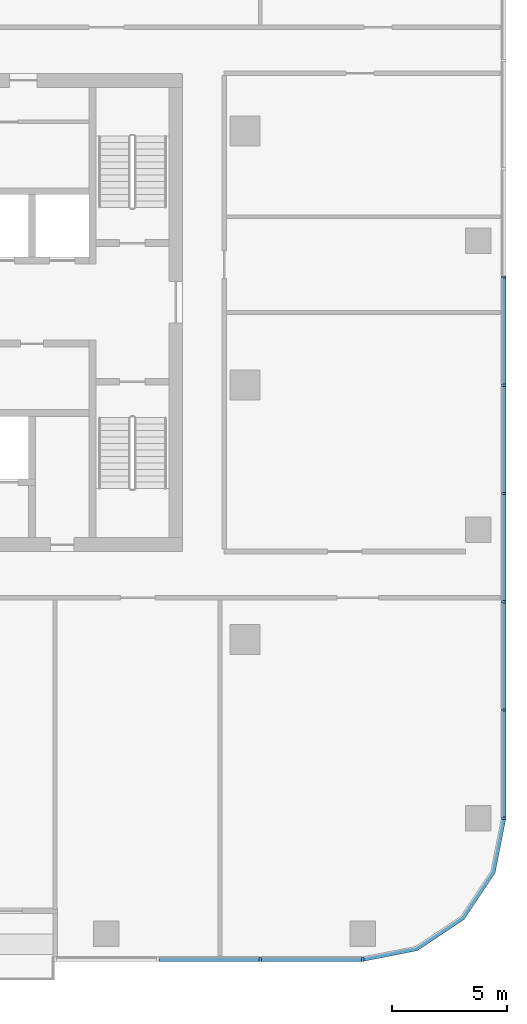
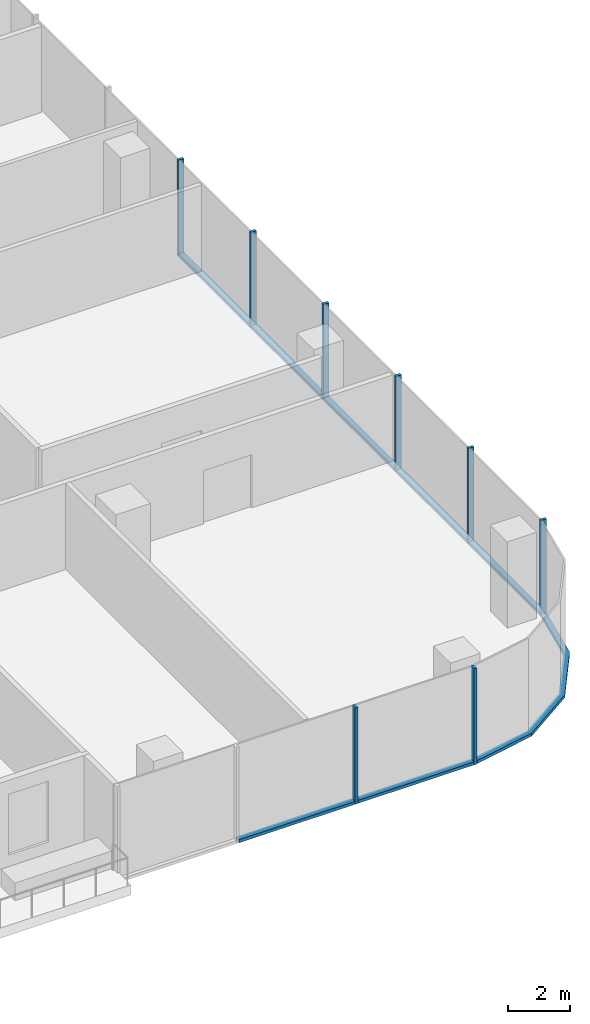
# One storey, part 3 of 14: 16 members, 3 elements without a shape of their own.
"""IFC4 building model written with IfcOpenShell, lengths in metres."""

import ifcopenshell
import ifcopenshell.guid

model = None  # the IFC model being written
_history = None  # IfcOwnerHistory: only IFC2X3 demands one
_inside = {}  # id of a spatial element -> (the spatial element, [elements in it])
_under = {}  # id of a project, library or spatial element -> (it, [spatial elements below it])
_declared = {}  # id of a project -> (the project, [libraries it declares])
_typed = {}  # id of a type object -> (the type object, [elements of that type])
_made_of = {}  # id of a material, layer set ... -> (it, [elements and type objects made of it])


def new_model(schema):
    """Start an empty IFC model of exactly this schema.

    Asked for "IFC4X3", IfcOpenShell would pick the latest addendum, in which some entities
    have other attributes; the version numbers below select the first issue.
    IFC2X3 requires an IfcOwnerHistory on every rooted entity: one is made here for all.
    """
    global model, _history
    if schema == "IFC4X3":
        model = ifcopenshell.file(schema_version=(4, 3, 0, 0))
    else:
        model = ifcopenshell.file(schema=schema)
    _inside.clear()
    _under.clear()
    _declared.clear()
    _typed.clear()
    _made_of.clear()
    _history = None
    if model.schema == "IFC2X3":
        org = make("IfcOrganization", Name="unknown")
        user = make(
            "IfcPersonAndOrganization",
            ThePerson=make("IfcPerson", FamilyName="unknown"),
            TheOrganization=org,
        )
        app = make(
            "IfcApplication",
            ApplicationDeveloper=org,
            Version="unknown",
            ApplicationFullName="unknown",
            ApplicationIdentifier="unknown",
        )
        _history = make(
            "IfcOwnerHistory",
            OwningUser=user,
            OwningApplication=app,
            ChangeAction="ADDED",
            CreationDate=0,
        )
    return model


def make(cls, **values):
    """One entity of the class cls with the attributes given. An attribute that is None is left unset."""
    return model.create_entity(
        cls, **{name: value for name, value in values.items() if value is not None}
    )


def rooted(cls, **values):
    """An entity with a GlobalId (a new one), such as an element, a storey or a relation."""
    return make(cls, GlobalId=ifcopenshell.guid.new(), OwnerHistory=_history, **values)


def si_unit(unit_type, name, prefix=None):
    """IfcSIUnit, for example si_unit("LENGTHUNIT", "METRE", prefix="MILLI")."""
    return make("IfcSIUnit", UnitType=unit_type, Prefix=prefix, Name=name)


def assignment(units):
    """IfcUnitAssignment: the units of a project."""
    return None if units is None else make("IfcUnitAssignment", Units=units)


def point(xyz):
    """IfcCartesianPoint."""
    return None if xyz is None else make("IfcCartesianPoint", Coordinates=xyz)


def direction(xyz):
    """IfcDirection."""
    return None if xyz is None else make("IfcDirection", DirectionRatios=xyz)


def frame(location, z_axis=None, x_axis=None):
    """IfcAxis2Placement3D, a coordinate frame: its origin and axes. An axis left out is left unset."""
    return make(
        "IfcAxis2Placement3D",
        Location=point(location),
        Axis=direction(z_axis),
        RefDirection=direction(x_axis),
    )


def frame_2d(location, x_axis=None):
    """IfcAxis2Placement2D, a coordinate frame in the plane: its origin and x axis."""
    return make(
        "IfcAxis2Placement2D", Location=point(location), RefDirection=direction(x_axis)
    )


def origin():
    """The frame at (0, 0, 0) with its axes left unset."""
    return frame((0.0, 0.0, 0.0))


def origin_2d():
    """The frame at (0, 0) in the plane with its x axis left unset."""
    return frame_2d((0.0, 0.0))


def place(relative_to, where):
    """IfcLocalPlacement: puts the frame where relative to a parent placement (None: the world)."""
    return make(
        "IfcLocalPlacement", PlacementRelTo=relative_to, RelativePlacement=where
    )


def context(
    kind, dimensions, precision=None, world=None, true_north=None, identifier=None
):
    """IfcGeometricRepresentationContext, for example the 3D "Model" context."""
    return make(
        "IfcGeometricRepresentationContext",
        ContextIdentifier=identifier,
        ContextType=kind,
        CoordinateSpaceDimension=dimensions,
        Precision=precision,
        WorldCoordinateSystem=world,
        TrueNorth=true_north,
    )


def subcontext(parent, identifier, kind, view, scale=None):
    """IfcGeometricRepresentationSubContext, for example "Body" below "Model"."""
    return make(
        "IfcGeometricRepresentationSubContext",
        ContextIdentifier=identifier,
        ContextType=kind,
        ParentContext=parent,
        TargetScale=scale,
        TargetView=view,
    )


def project(units=None, contexts=None):
    """IfcProject with its units and contexts."""
    return rooted(
        "IfcProject",
        Name="project",
        RepresentationContexts=contexts,
        UnitsInContext=assignment(units),
    )


def spatial(cls, under=None, at=None, **own):
    """A site, building, storey or space (cls), placed at a placement, below another one or the project."""
    s = rooted(cls, ObjectPlacement=at, **own)
    if under is not None:
        _under.setdefault(under.id(), (under, []))[1].append(s)
    return s


def polyline(points):
    """IfcPolyline through the points."""
    return make("IfcPolyline", Points=[point(p) for p in points])


def profile(cls, at=None, kind="AREA", **sizes):
    """A parametric profile (cls). Its sizes go by their IFC names, for example OverallWidth=200.0."""
    return make(cls, ProfileType=kind, Position=at, **sizes)


def rectangle(**sizes):
    """IfcRectangleProfileDef."""
    return profile("IfcRectangleProfileDef", **sizes)


def outline(outer, holes=None, kind="AREA"):
    """IfcArbitraryClosedProfileDef: a profile drawn as a closed curve; with holes, ...WithVoids."""
    if holes is None:
        return make("IfcArbitraryClosedProfileDef", ProfileType=kind, OuterCurve=outer)
    return make(
        "IfcArbitraryProfileDefWithVoids",
        ProfileType=kind,
        OuterCurve=outer,
        InnerCurves=holes,
    )


def extrude(swept, where, along, depth):
    """IfcExtrudedAreaSolid: the profile swept, set in the frame where, extruded along a direction by depth."""
    return make(
        "IfcExtrudedAreaSolid",
        SweptArea=swept,
        Position=where,
        ExtrudedDirection=direction(along),
        Depth=depth,
    )


def shape(context_of_items, identifier, shape_type, items):
    """IfcShapeRepresentation: the items that make up one representation, for example the "Body"."""
    return make(
        "IfcShapeRepresentation",
        ContextOfItems=context_of_items,
        RepresentationIdentifier=identifier,
        RepresentationType=shape_type,
        Items=items,
    )


def material(Name=None, Category=None):
    """IfcMaterial."""
    return make("IfcMaterial", Name=Name, Category=Category)


def material_profile(
    of_material, cross_section, Name=None, Category=None, Priority=None
):
    """IfcMaterialProfile: a cross section and its material."""
    return make(
        "IfcMaterialProfile",
        Name=Name,
        Material=of_material,
        Profile=cross_section,
        Priority=Priority,
        Category=Category,
    )


def profile_set(profiles, Name=None, composite=None):
    """IfcMaterialProfileSet."""
    return make(
        "IfcMaterialProfileSet",
        Name=Name,
        MaterialProfiles=profiles,
        CompositeProfile=composite,
    )


def made_of(thing, what):
    """Note that an element or type object is made of a material, layer set ...; save() writes the relation."""
    if what is not None:
        _made_of.setdefault(what.id(), (what, []))[1].append(thing)
    return thing


def type_object(cls, material=None, **own):
    """A type object (cls), such as IfcWallType, which elements share."""
    return made_of(rooted(cls, **own), material)


def element(
    cls,
    number,
    at=None,
    inside=None,
    cuts=None,
    type_object=None,
    material=None,
    context=None,
    identifier="Body",
    shape_type=None,
    held_by="IfcProductDefinitionShape",
    body=None,
    shapes=None,
    **own,
):
    """One element of the class cls, such as IfcWall. Its Tag is "e" and its number.

    at: its placement. inside: the storey or other place that contains it. cuts: it is an
    opening in that element (IfcRelVoidsElement). A single representation is given by context,
    identifier, shape_type and body (its items); several are given by shapes. held_by: the class
    of the entity that holds the representations. save() writes the other relations.
    """
    e = rooted(cls, Tag="e%d" % number, ObjectPlacement=at, **own)
    if body is not None:
        shapes = [shape(context, identifier, shape_type, body)]
    if shapes is not None:
        e.Representation = make(held_by, Representations=shapes)
    if inside is not None:
        _inside.setdefault(inside.id(), (inside, []))[1].append(e)
    if cuts is not None:
        rooted(
            "IfcRelVoidsElement", RelatingBuildingElement=cuts, RelatedOpeningElement=e
        )
    if type_object is not None:
        _typed.setdefault(type_object.id(), (type_object, []))[1].append(e)
    return made_of(e, material)


def aggregate(whole, parts):
    """IfcRelAggregates: a whole, such as a stair, and the parts it consists of."""
    return rooted("IfcRelAggregates", RelatingObject=whole, RelatedObjects=parts)


def save(model, path):
    """Write the relations noted so far, then the file.

    IfcRelAggregates (storeys below a building ...), IfcRelContainedInSpatialStructure (elements
    in a storey), IfcRelDefinesByType, IfcRelAssociatesMaterial and IfcRelDeclares: one each for
    every whole, place, type object, material and project.
    """
    for whole, parts in _under.values():
        aggregate(whole, parts)
    for where, things in _inside.values():
        rooted(
            "IfcRelContainedInSpatialStructure",
            RelatedElements=things,
            RelatingStructure=where,
        )
    for kind, things in _typed.values():
        rooted("IfcRelDefinesByType", RelatedObjects=things, RelatingType=kind)
    for what, things in _made_of.values():
        rooted("IfcRelAssociatesMaterial", RelatedObjects=things, RelatingMaterial=what)
    for by, libraries in _declared.values():
        rooted("IfcRelDeclares", RelatingContext=by, RelatedDefinitions=libraries)
    model.write(path)


model = new_model("IFC4")

# Units and contexts
model_context = context("Model", 3, precision=1e-05, world=origin(), true_north=direction((0.0, 1.0)))
body_context = subcontext(model_context, "Body", "Model", "MODEL_VIEW")
ifc_project = project(units=[si_unit("LENGTHUNIT", "METRE"), si_unit("AREAUNIT", "SQUARE_METRE"), si_unit("VOLUMEUNIT", "CUBIC_METRE"), si_unit("PLANEANGLEUNIT", "RADIAN"), si_unit("MASSUNIT", "GRAM", prefix="KILO")], contexts=[model_context])

# Site, building, storey
site_placement = place(None, origin())
site = spatial("IfcSite", under=ifc_project, at=site_placement, CompositionType="ELEMENT")
building_placement = place(site_placement, origin())
building = spatial("IfcBuilding", under=site, at=building_placement, Name="Mopane Tessera Tower", CompositionType="ELEMENT")
storey_placement = place(building_placement, frame((0.0, 0.0, 255.0)))
storey = spatial("IfcBuildingStorey", under=building, at=storey_placement, Name="L55", CompositionType="ELEMENT", Elevation=255.0)

# Curtain wall, members
ifc_material_1 = material(Name="Aluminium frame", Category="aluminium")
curtain_wall_type = type_object("IfcCurtainWallType", Name="Unitised curtain wall", PredefinedType="NOTDEFINED", material=ifc_material_1)
curtain_wall_1_placement = place(storey_placement, origin())
curtain_wall_1 = element("IfcCurtainWall", 1, at=curtain_wall_1_placement, inside=storey, type_object=curtain_wall_type, Name="e:cw:L55:S:7", PredefinedType="NOTDEFINED")
ifc_material_2 = material(Name="Aluminium frame", Category="aluminium")
ifc_material_profile_1 = material_profile(ifc_material_2, rectangle(XDim=0.10009765625, YDim=0.199951171875, at=origin_2d()))
ifc_profile_set_1 = profile_set([ifc_material_profile_1], Name="Aluminium frame")
member_type_1 = type_object("IfcMemberType", Name="Aluminium mullion 100 x 200", PredefinedType="MULLION", material=ifc_profile_set_1)
member_1_placement = place(storey_placement, frame((17.760009765625, -24.85009765625, -0.39990234375), z_axis=(0.0, 0.0, 1.0), x_axis=(1.0, 0.0, 0.0)))
member_1 = element("IfcMember", 2, at=member_1_placement, type_object=member_type_1, Name="e:cw:L55:S:7:mu9", PredefinedType="MULLION", context=body_context, shape_type="SweptSolid", body=[
    extrude(rectangle(XDim=0.10009765625, YDim=0.199951171875, at=origin_2d()), origin(), (0.0, 0.0, 1.0), 3.7998046875),
])
member_2_placement = place(storey_placement, frame((22.199951171875, -24.85009765625, -0.39990234375), z_axis=(0.0, 0.0, 1.0), x_axis=(1.0, 0.0, 0.0)))
member_2 = element("IfcMember", 3, at=member_2_placement, type_object=member_type_1, Name="e:cw:L55:S:7:mu10", PredefinedType="MULLION", context=body_context, shape_type="SweptSolid", body=[
    extrude(rectangle(XDim=0.10009765625, YDim=0.199951171875, at=origin_2d()), origin(), (0.0, 0.0, 1.0), 3.7998046875),
])

curtain_wall_2_placement = place(storey_placement, origin())
curtain_wall_2 = element("IfcCurtainWall", 4, at=curtain_wall_2_placement, inside=storey, type_object=curtain_wall_type, Name="e:cw:L55:E:0", PredefinedType="NOTDEFINED")
member_3_placement = place(storey_placement, frame((28.300048828125, -18.75, -0.39990234375), z_axis=(0.0, 0.0, 1.0), x_axis=(0.0, 1.0, 0.0)))
member_3 = element("IfcMember", 5, at=member_3_placement, type_object=member_type_1, Name="e:cw:L55:E:0:mu0", PredefinedType="MULLION", context=body_context, shape_type="SweptSolid", body=[
    extrude(rectangle(XDim=0.10009765625, YDim=0.199951171875, at=origin_2d()), origin(), (0.0, 0.0, 1.0), 3.7998046875),
])
member_4_placement = place(storey_placement, frame((28.300048828125, -14.0625, -0.39990234375), z_axis=(0.0, 0.0, 1.0), x_axis=(0.0, 1.0, 0.0)))
member_4 = element("IfcMember", 6, at=member_4_placement, type_object=member_type_1, Name="e:cw:L55:E:0:mu1", PredefinedType="MULLION", context=body_context, shape_type="SweptSolid", body=[
    extrude(rectangle(XDim=0.10009765625, YDim=0.199951171875, at=origin_2d()), origin(), (0.0, 0.0, 1.0), 3.7998046875),
])
member_5_placement = place(storey_placement, frame((28.300048828125, -9.375, -0.39990234375), z_axis=(0.0, 0.0, 1.0), x_axis=(0.0, 1.0, 0.0)))
member_5 = element("IfcMember", 7, at=member_5_placement, type_object=member_type_1, Name="e:cw:L55:E:0:mu2", PredefinedType="MULLION", context=body_context, shape_type="SweptSolid", body=[
    extrude(rectangle(XDim=0.10009765625, YDim=0.199951171875, at=origin_2d()), origin(), (0.0, 0.0, 1.0), 3.7998046875),
])
member_6_placement = place(storey_placement, frame((28.300048828125, -4.6875, -0.39990234375), z_axis=(0.0, 0.0, 1.0), x_axis=(0.0, 1.0, 0.0)))
member_6 = element("IfcMember", 8, at=member_6_placement, type_object=member_type_1, Name="e:cw:L55:E:0:mu3", PredefinedType="MULLION", context=body_context, shape_type="SweptSolid", body=[
    extrude(rectangle(XDim=0.10009765625, YDim=0.199951171875, at=origin_2d()), origin(), (0.0, 0.0, 1.0), 3.7998046875),
])
member_7_placement = place(storey_placement, frame((28.300048828125, 0.0, -0.39990234375), z_axis=(0.0, 0.0, 1.0), x_axis=(0.0, 1.0, 0.0)))
member_7 = element("IfcMember", 9, at=member_7_placement, type_object=member_type_1, Name="e:cw:L55:E:0:mu4", PredefinedType="MULLION", context=body_context, shape_type="SweptSolid", body=[
    extrude(rectangle(XDim=0.10009765625, YDim=0.199951171875, at=origin_2d()), origin(), (0.0, 0.0, 1.0), 3.7998046875),
])
member_8_placement = place(storey_placement, frame((28.300048828125, 4.6875, -0.39990234375), z_axis=(0.0, 0.0, 1.0), x_axis=(0.0, 1.0, 0.0)))
member_8 = element("IfcMember", 10, at=member_8_placement, type_object=member_type_1, Name="e:cw:L55:E:0:mu5", PredefinedType="MULLION", context=body_context, shape_type="SweptSolid", body=[
    extrude(rectangle(XDim=0.10009765625, YDim=0.199951171875, at=origin_2d()), origin(), (0.0, 0.0, 1.0), 3.7998046875),
])

# Member
ifc_material_3 = material(Name="Aluminium frame", Category="aluminium")
ifc_material_profile_2 = material_profile(ifc_material_3, rectangle(XDim=0.199951171875, YDim=0.1201171875, at=origin_2d()))
ifc_profile_set_2 = profile_set([ifc_material_profile_2], Name="Aluminium frame")
member_type_2 = type_object("IfcMemberType", Name="Aluminium transom 200 x 120", PredefinedType="USERDEFINED", material=ifc_profile_set_2)
member_9_placement = place(storey_placement, frame((13.3701171875, -24.85009765625, -0.340087890625), z_axis=(1.0, 0.0, 0.0), x_axis=(0.0, 1.0, 0.0)))
member_9 = element("IfcMember", 11, at=member_9_placement, type_object=member_type_2, Name="e:cw:L55:S:7:tr8", ObjectType="TRANSOM", PredefinedType="USERDEFINED", context=body_context, shape_type="SweptSolid", body=[
    extrude(rectangle(XDim=0.199951171875, YDim=0.1201171875, at=origin_2d()), origin(), (0.0, 0.0, 1.0), 4.33984375),
])

member_10_placement = place(storey_placement, frame((17.81005859375, -24.85009765625, -0.340087890625), z_axis=(1.0, 0.0, 0.0), x_axis=(0.0, 1.0, 0.0)))
member_10 = element("IfcMember", 12, at=member_10_placement, type_object=member_type_2, Name="e:cw:L55:S:7:tr9", ObjectType="TRANSOM", PredefinedType="USERDEFINED", context=body_context, shape_type="SweptSolid", body=[
    extrude(rectangle(XDim=0.199951171875, YDim=0.1201171875, at=origin_2d()), origin(), (0.0, 0.0, 1.0), 4.33984375),
])

aggregate(curtain_wall_1, [member_1, member_2, member_9, member_10])

# Curtain wall, member
curtain_wall_3_placement = place(storey_placement, origin())
curtain_wall_3 = element("IfcCurtainWall", 13, at=curtain_wall_3_placement, inside=storey, type_object=curtain_wall_type, Name="e:cw:L55:CS", PredefinedType="NOTDEFINED")
member_11_placement = place(storey_placement, frame((0.0, 0.0, -0.39990234375)))
member_11 = element("IfcMember", 14, at=member_11_placement, type_object=member_type_2, Name="e:cw:L55:CS:tr", ObjectType="TRANSOM", PredefinedType="USERDEFINED", context=body_context, shape_type="SweptSolid", body=[
    extrude(outline(polyline([(22.199951171875, -24.75), (24.49609375, -24.293212890625), (26.442626953125, -22.99267578125), (27.7431640625, -21.046142578125), (28.199951171875, -18.75), (28.39990234375, -18.75), (27.927978515625, -21.12255859375), (26.583984375, -23.134033203125), (24.57275390625, -24.47802734375), (22.199951171875, -24.949951171875), (22.199951171875, -24.75)])), origin(), (0.0, 0.0, 1.0), 0.119873046875),
])
aggregate(curtain_wall_3, [member_11])

# Member
member_12_placement = place(storey_placement, frame((28.300048828125, -18.699951171875, -0.340087890625), z_axis=(0.0, 1.0, 0.0), x_axis=(-1.0, 0.0, 0.0)))
member_12 = element("IfcMember", 15, at=member_12_placement, type_object=member_type_2, Name="e:cw:L55:E:0:tr0", ObjectType="TRANSOM", PredefinedType="USERDEFINED", context=body_context, shape_type="SweptSolid", body=[
    extrude(rectangle(XDim=0.199951171875, YDim=0.1201171875, at=origin_2d()), origin(), (0.0, 0.0, 1.0), 4.58740234375),
])

member_13_placement = place(storey_placement, frame((28.300048828125, -14.012451171875, -0.340087890625), z_axis=(0.0, 1.0, 0.0), x_axis=(-1.0, 0.0, 0.0)))
member_13 = element("IfcMember", 16, at=member_13_placement, type_object=member_type_2, Name="e:cw:L55:E:0:tr1", ObjectType="TRANSOM", PredefinedType="USERDEFINED", context=body_context, shape_type="SweptSolid", body=[
    extrude(rectangle(XDim=0.199951171875, YDim=0.1201171875, at=origin_2d()), origin(), (0.0, 0.0, 1.0), 4.58740234375),
])

member_14_placement = place(storey_placement, frame((28.300048828125, -9.324951171875, -0.340087890625), z_axis=(0.0, 1.0, 0.0), x_axis=(-1.0, 0.0, 0.0)))
member_14 = element("IfcMember", 17, at=member_14_placement, type_object=member_type_2, Name="e:cw:L55:E:0:tr2", ObjectType="TRANSOM", PredefinedType="USERDEFINED", context=body_context, shape_type="SweptSolid", body=[
    extrude(rectangle(XDim=0.199951171875, YDim=0.1201171875, at=origin_2d()), origin(), (0.0, 0.0, 1.0), 4.58740234375),
])

member_15_placement = place(storey_placement, frame((28.300048828125, -4.637451171875, -0.340087890625), z_axis=(0.0, 1.0, 0.0), x_axis=(-1.0, 0.0, 0.0)))
member_15 = element("IfcMember", 18, at=member_15_placement, type_object=member_type_2, Name="e:cw:L55:E:0:tr3", ObjectType="TRANSOM", PredefinedType="USERDEFINED", context=body_context, shape_type="SweptSolid", body=[
    extrude(rectangle(XDim=0.199951171875, YDim=0.1201171875, at=origin_2d()), origin(), (0.0, 0.0, 1.0), 4.58740234375),
])

member_16_placement = place(storey_placement, frame((28.300048828125, 0.050048828125, -0.340087890625), z_axis=(0.0, 1.0, 0.0), x_axis=(-1.0, 0.0, 0.0)))
member_16 = element("IfcMember", 19, at=member_16_placement, type_object=member_type_2, Name="e:cw:L55:E:0:tr4", ObjectType="TRANSOM", PredefinedType="USERDEFINED", context=body_context, shape_type="SweptSolid", body=[
    extrude(rectangle(XDim=0.199951171875, YDim=0.1201171875, at=origin_2d()), origin(), (0.0, 0.0, 1.0), 4.58740234375),
])

aggregate(curtain_wall_2, [member_3, member_4, member_5, member_6, member_7, member_8, member_12, member_13, member_14, member_15, member_16])

save(model, "model.ifc")
